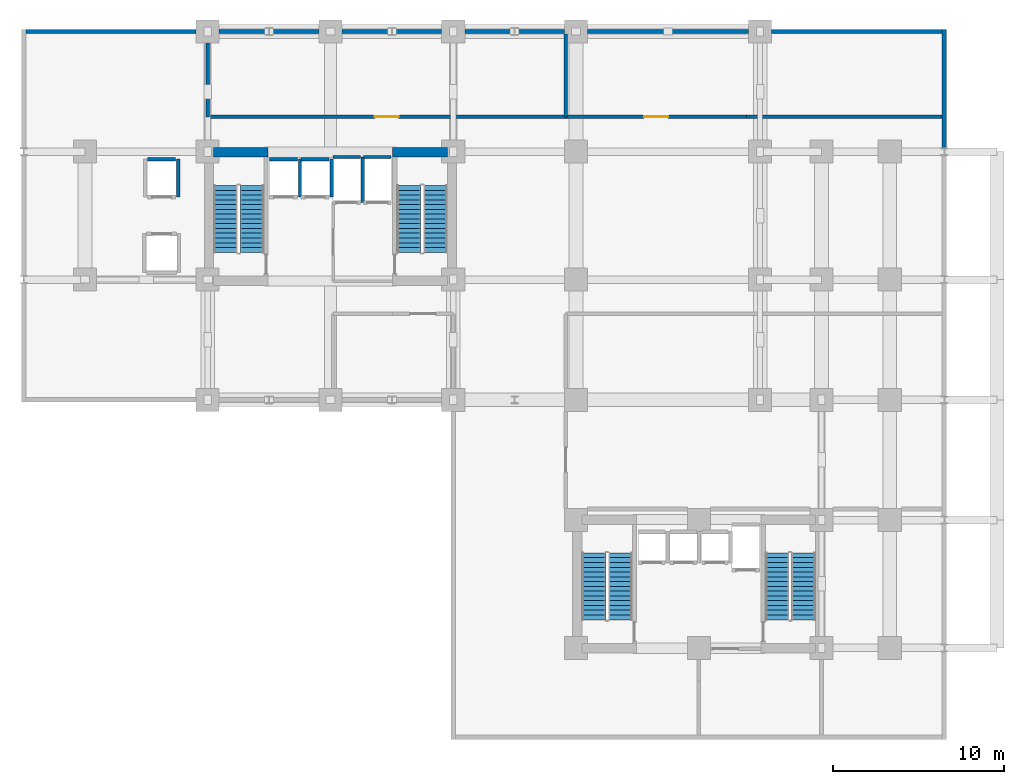
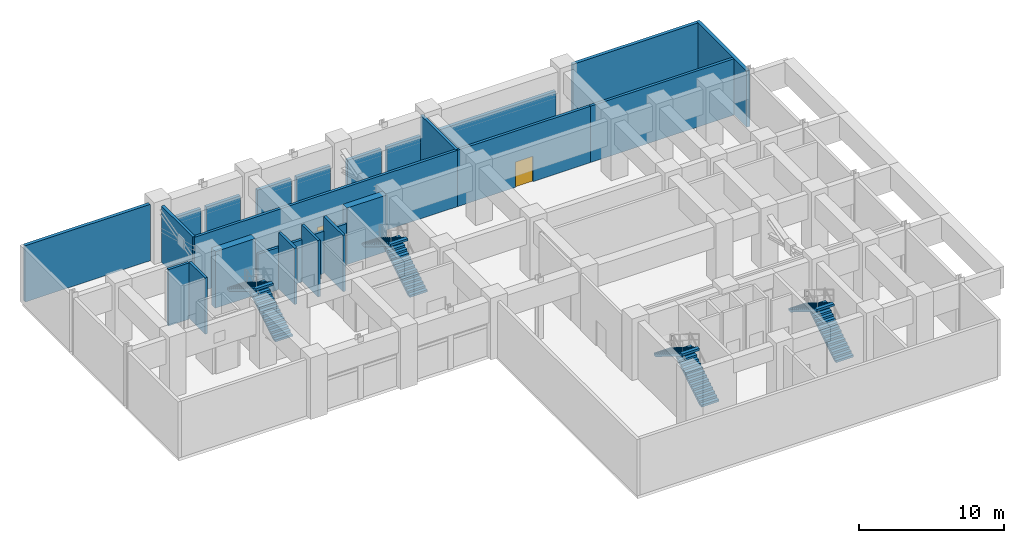
# One storey, part 5 of 8: 26 walls, 8 stair flights, 2 doors, 2 openings, 4 elements without a shape of their own.
"""IFC4 building model written with IfcOpenShell, lengths in metres."""

from ifc_helpers import new_model, si_unit, direction, frame, frame_2d, origin, place, context, subcontext, project, spatial, polyline, rectangle, outline, extrude, material, layer, layer_set, type_object, element, fill, aggregate, save


model = new_model("IFC4")

# Units and contexts
model_context = context("Model", 3, precision=1e-05, world=origin(), true_north=direction((0.0, 1.0)))
body_context = subcontext(model_context, "Body", "Model", "MODEL_VIEW")
ifc_project = project(units=[si_unit("LENGTHUNIT", "METRE"), si_unit("AREAUNIT", "SQUARE_METRE"), si_unit("VOLUMEUNIT", "CUBIC_METRE"), si_unit("PLANEANGLEUNIT", "RADIAN"), si_unit("MASSUNIT", "GRAM", prefix="KILO")], contexts=[model_context])

# Site, building, storey
site_placement = place(None, origin())
site = spatial("IfcSite", under=ifc_project, at=site_placement, CompositionType="ELEMENT")
building_placement = place(site_placement, origin())
building = spatial("IfcBuilding", under=site, at=building_placement, Name="Kaliganga Portal Commons", CompositionType="ELEMENT")
storey_placement = place(building_placement, frame((0.0, 0.0, 73.39990234375)))
storey = spatial("IfcBuildingStorey", under=building, at=storey_placement, Name="L18", CompositionType="ELEMENT", Elevation=73.39990234375)

# Walls
ifc_material_1 = material(Name="Concrete C60/75", Category="concrete")
ifc_layer_1 = layer(ifc_material_1, 0.550048828125)
ifc_layer_set_1 = layer_set([ifc_layer_1], Name="Concrete C60/75")
wall_type_1 = type_object("IfcWallType", Name="WL-CORE-550", PredefinedType="SHEAR", material=ifc_layer_set_1)
for number, where, z_axis, x_axis, name in (
    (1, (14.75, 36.125, 0.0), (0.0, 0.0, 1.0), (1.0, 0.0, 0.0), "Core A N-West Shear Wall L18"),
    (2, (25.25, 36.125, 0.0), (0.0, 0.0, 1.0), (1.0, 0.0, 0.0), "Core A N-East Shear Wall L18"),
):
    element("IfcWall", number, at=place(storey_placement, frame(where, z_axis=z_axis, x_axis=x_axis)), inside=storey, type_object=wall_type_1, Name=name, PredefinedType="SHEAR", context=body_context, shape_type="SweptSolid", body=[
        extrude(rectangle(XDim=3.199951171875, YDim=0.550048828125, at=frame_2d((1.60009765625, 0.0))), origin(), (0.0, 0.0, 1.0), 4.780029296875),
    ])
ifc_material_2 = material(Name="Insulated Aluminium-Clad Spandrel Assembly", Category="aluminium")
ifc_layer_2 = layer(ifc_material_2, 0.260009765625)
ifc_layer_set_2 = layer_set([ifc_layer_2], Name="Insulated Aluminium-Clad Spandrel Assembly")
wall_type_2 = type_object("IfcWallType", Name="WL-EXT-SPAND-260", PredefinedType="STANDARD", material=ifc_layer_set_2)
wall_1_placement = place(storey_placement, frame((57.60009765625, 43.330078125, 0.0), z_axis=(0.0, 0.0, 1.0), x_axis=(0.0, -1.0, 0.0)))
element("IfcWall", 3, at=wall_1_placement, inside=storey, type_object=wall_type_2, Name="Exterior Envelope Wall L18 P1-E01-S6", PredefinedType="STANDARD", context=body_context, shape_type="SweptSolid", body=[
    extrude(rectangle(XDim=6.9560546875, YDim=0.260009765625, at=frame_2d((3.47802734375, 0.0))), origin(), (0.0, 0.0, 1.0), 4.760009765625),
])
wall_2_placement = place(storey_placement, frame((47.47607421875, 43.199951171875, 0.0), z_axis=(0.0, 0.0, 1.0), x_axis=(1.0, 0.0, 0.0)))
element("IfcWall", 4, at=wall_2_placement, inside=storey, type_object=wall_type_2, Name="Exterior Envelope Wall L18 P1-E02-S1", PredefinedType="STANDARD", context=body_context, shape_type="SweptSolid", body=[
    extrude(rectangle(XDim=9.989013671875, YDim=0.260009765625, at=frame_2d((4.99462890625, 0.0))), origin(), (0.0, 0.0, 1.0), 4.760009765625),
])
wall_3_placement = place(storey_placement, frame((36.676025390625, 43.199951171875, 0.0), z_axis=(0.0, 0.0, 1.0), x_axis=(1.0, 0.0, 0.0)))
element("IfcWall", 5, at=wall_3_placement, inside=storey, type_object=wall_type_2, Name="Exterior Envelope Wall L18 P1-E02-S2", PredefinedType="STANDARD", context=body_context, shape_type="SweptSolid", body=[
    extrude(rectangle(XDim=9.447998046875, YDim=0.260009765625, at=frame_2d((4.72412109375, 0.0))), origin(), (0.0, 0.0, 1.0), 2.960205078125),
])
wall_4_placement = place(storey_placement, frame((32.60888671875, 43.199951171875, 0.0), z_axis=(0.0, 0.0, 1.0), x_axis=(1.0, 0.0, 0.0)))
element("IfcWall", 6, at=wall_4_placement, inside=storey, type_object=wall_type_2, Name="Exterior Envelope Wall L18 P1-E02-S3", PredefinedType="STANDARD", context=body_context, shape_type="SweptSolid", body=[
    extrude(rectangle(XDim=2.715087890625, YDim=0.260009765625, at=frame_2d((1.357421875, 0.0))), origin(), (0.0, 0.0, 1.0), 2.960205078125),
])
wall_5_placement = place(storey_placement, frame((29.47607421875, 43.199951171875, 0.0), z_axis=(0.0, 0.0, 1.0), x_axis=(1.0, 0.0, 0.0)))
element("IfcWall", 7, at=wall_5_placement, inside=storey, type_object=wall_type_2, Name="Exterior Envelope Wall L18 P1-E02-S4", PredefinedType="STANDARD", context=body_context, shape_type="SweptSolid", body=[
    extrude(rectangle(XDim=2.71484375, YDim=0.260009765625, at=frame_2d((1.357421875, 0.0))), origin(), (0.0, 0.0, 1.0), 2.960205078125),
])
for number, where, z_axis, x_axis, name in (
    (8, (25.408935546875, 43.199951171875, 0.0), (0.0, 0.0, 1.0), (1.0, 0.0, 0.0), "Exterior Envelope Wall L18 P1-E02-S5"),
    (9, (22.27587890625, 43.199951171875, 0.0), (0.0, 0.0, 1.0), (1.0, 0.0, 0.0), "Exterior Envelope Wall L18 P1-E02-S6"),
    (10, (18.208984375, 43.199951171875, 0.0), (0.0, 0.0, 1.0), (1.0, 0.0, 0.0), "Exterior Envelope Wall L18 P1-E02-S7"),
    (11, (15.075927734375, 43.199951171875, 0.0), (0.0, 0.0, 1.0), (1.0, 0.0, 0.0), "Exterior Envelope Wall L18 P1-E02-S8"),
):
    element("IfcWall", number, at=place(storey_placement, frame(where, z_axis=z_axis, x_axis=x_axis)), inside=storey, type_object=wall_type_2, Name=name, PredefinedType="STANDARD", context=body_context, shape_type="SweptSolid", body=[
        extrude(rectangle(XDim=2.715087890625, YDim=0.260009765625, at=frame_2d((1.357421875, 0.0))), origin(), (0.0, 0.0, 1.0), 2.960205078125),
    ])
wall_6_placement = place(storey_placement, frame((3.735107421875, 43.199951171875, 0.0), z_axis=(0.0, 0.0, 1.0), x_axis=(1.0, 0.0, 0.0)))
element("IfcWall", 12, at=wall_6_placement, inside=storey, type_object=wall_type_2, Name="Exterior Envelope Wall L18 P1-E02-S9", PredefinedType="STANDARD", context=body_context, shape_type="SweptSolid", body=[
    extrude(rectangle(XDim=9.989013671875, YDim=0.260009765625, at=frame_2d((4.99462890625, 0.0))), origin(), (0.0, 0.0, 1.0), 4.760009765625),
])

# Wall, opening, door
ifc_material_3 = material(Name="Lightweight blockwork masonry", Category="masonry")
ifc_layer_3 = layer(ifc_material_3, 0.215087890625)
ifc_layer_set_3 = layer_set([ifc_layer_3], Name="Lightweight blockwork masonry")
wall_type_3 = type_object("IfcWallType", Name="WL-PART-PLANT-215", PredefinedType="PARTITIONING", material=ifc_layer_set_3)
wall_7_placement = place(storey_placement, frame((14.39990234375, 38.199951171875, 0.0), z_axis=(0.0, 0.0, 1.0), x_axis=(1.0, 0.0, 0.0)))
wall_7 = element("IfcWall", 13, at=wall_7_placement, inside=storey, type_object=wall_type_3, Name="Interior Partition L18-002", PredefinedType="PARTITIONING", context=body_context, shape_type="SweptSolid", body=[
    extrude(rectangle(XDim=21.0, YDim=0.215087890625, at=frame_2d((10.5, 0.0))), origin(), (0.0, 0.0, 1.0), 4.760009765625),
])
opening_1_placement = place(wall_7_placement, frame((9.800048828125, 0.0, 0.0)))
opening_1 = element("IfcOpeningElement", 14, at=opening_1_placement, cuts=wall_7, Name="Opening PD-01", PredefinedType="OPENING", context=body_context, shape_type="SweptSolid", body=[
    extrude(rectangle(XDim=1.39990234375, YDim=2.14990234375, at=frame_2d((0.699951171875, 1.074951171875))), frame((0.0, 0.11767578125, 0.0), z_axis=(0.0, -1.0, 0.0), x_axis=(1.0, 0.0, 0.0)), (0.0, 0.0, 1.0), 0.235107421875),
])
ifc_material_4 = material(Name="Heavy-Duty Steel Acoustic Louvre Fire Door", Category="steel")
door_type = type_object("IfcDoorType", Name="DR-PLANT-1400", OperationType="DOUBLE_DOOR_SINGLE_SWING", PredefinedType="DOOR", material=ifc_material_4)
door_1_placement = place(opening_1_placement, origin())
door_1 = element("IfcDoor", 15, at=door_1_placement, inside=storey, type_object=door_type, Name="Interior Door L18-AHU_N", OperationType="DOUBLE_DOOR_SINGLE_SWING", OverallHeight=2.14990234375, OverallWidth=1.39990234375, PredefinedType="DOOR", context=body_context, shape_type="SweptSolid", body=[
    extrude(rectangle(XDim=1.39990234375, YDim=2.14990234375, at=frame_2d((0.699951171875, 1.074951171875))), frame((0.0, 0.02490234375, 0.0), z_axis=(0.0, -1.0, 0.0), x_axis=(1.0, 0.0, 0.0)), (0.0, 0.0, 1.0), 0.050048828125),
])
fill(opening_1, door_1)

wall_8_placement = place(storey_placement, frame((35.39990234375, 38.199951171875, 0.0), z_axis=(0.0, 0.0, 1.0), x_axis=(1.0, 0.0, 0.0)))
wall_8 = element("IfcWall", 16, at=wall_8_placement, inside=storey, type_object=wall_type_3, Name="Interior Partition L18-005", PredefinedType="PARTITIONING", context=body_context, shape_type="SweptSolid", body=[
    extrude(rectangle(XDim=10.60009765625, YDim=0.215087890625, at=frame_2d((5.300048828125, 0.0))), origin(), (0.0, 0.0, 1.0), 4.760009765625),
])
opening_2_placement = place(wall_8_placement, frame((4.60009765625, 0.0, 0.0)))
opening_2 = element("IfcOpeningElement", 17, at=opening_2_placement, cuts=wall_8, Name="Opening PD-01", PredefinedType="OPENING", context=body_context, shape_type="SweptSolid", body=[
    extrude(rectangle(XDim=1.39990234375, YDim=2.14990234375, at=frame_2d((0.699951171875, 1.074951171875))), frame((0.0, 0.11767578125, 0.0), z_axis=(0.0, -1.0, 0.0), x_axis=(1.0, 0.0, 0.0)), (0.0, 0.0, 1.0), 0.235107421875),
])
door_2_placement = place(opening_2_placement, origin())
door_2 = element("IfcDoor", 18, at=door_2_placement, inside=storey, type_object=door_type, Name="Interior Door L18-ELEC", OperationType="DOUBLE_DOOR_SINGLE_SWING", OverallHeight=2.14990234375, OverallWidth=1.39990234375, PredefinedType="DOOR", context=body_context, shape_type="SweptSolid", body=[
    extrude(rectangle(XDim=1.39990234375, YDim=2.14990234375, at=frame_2d((0.699951171875, 1.074951171875))), frame((0.0, 0.02490234375, 0.0), z_axis=(0.0, -1.0, 0.0), x_axis=(1.0, 0.0, 0.0)), (0.0, 0.0, 1.0), 0.050048828125),
])
fill(opening_2, door_2)

# Walls
wall_9_placement = place(storey_placement, frame((46.0, 38.199951171875, 0.0), z_axis=(0.0, 0.0, 1.0), x_axis=(1.0, 0.0, 0.0)))
element("IfcWall", 19, at=wall_9_placement, inside=storey, type_object=wall_type_3, Name="Interior Partition L18-013", PredefinedType="PARTITIONING", context=body_context, shape_type="SweptSolid", body=[
    extrude(rectangle(XDim=11.468017578125, YDim=0.215087890625, at=frame_2d((5.73388671875, 0.0))), origin(), (0.0, 0.0, 1.0), 4.760009765625),
])
wall_10_placement = place(storey_placement, frame((14.39990234375, 38.199951171875, 0.0), z_axis=(0.0, 0.0, 1.0), x_axis=(0.0, 1.0, 0.0)))
element("IfcWall", 20, at=wall_10_placement, inside=storey, type_object=wall_type_3, Name="Interior Partition L18-017", PredefinedType="PARTITIONING", context=body_context, shape_type="SweptSolid", body=[
    extrude(rectangle(XDim=4.324951171875, YDim=0.215087890625, at=frame_2d((2.16259765625, 0.0))), origin(), (0.0, 0.0, 1.0), 4.760009765625),
])
wall_11_placement = place(storey_placement, frame((35.39990234375, 38.199951171875, 0.0), z_axis=(0.0, 0.0, 1.0), x_axis=(0.0, 1.0, 0.0)))
element("IfcWall", 21, at=wall_11_placement, inside=storey, type_object=wall_type_3, Name="Interior Partition L18-018", PredefinedType="PARTITIONING", context=body_context, shape_type="SweptSolid", body=[
    extrude(rectangle(XDim=4.8681640625, YDim=0.215087890625, at=frame_2d((2.43408203125, 0.0))), origin(), (0.0, 0.0, 1.0), 4.760009765625),
])
ifc_material_5 = material(Name="Fire-Rated Shaftwall Masonry Assembly", Category="masonry")
ifc_layer_4 = layer(ifc_material_5, 0.199951171875)
ifc_layer_set_4 = layer_set([ifc_layer_4], Name="Fire-Rated Shaftwall Masonry Assembly")
wall_type_4 = type_object("IfcWallType", Name="WL-SHAFT-200", PredefinedType="PARTITIONING", material=ifc_layer_set_4)
wall_12_placement = place(storey_placement, frame((18.02490234375, 35.715087890625, 0.0), z_axis=(0.0, 0.0, 1.0), x_axis=(1.0, 0.0, 0.0)))
element("IfcWall", 22, at=wall_12_placement, inside=storey, type_object=wall_type_4, Name="Lift PL-A1 Hoistway Shaft Wall L18-N", PredefinedType="PARTITIONING", context=body_context, shape_type="SweptSolid", body=[
    extrude(rectangle(XDim=1.650146484375, YDim=0.199951171875, at=frame_2d((0.8251953125, 0.0))), origin(), (0.0, 0.0, 1.0), 3.56005859375),
])
wall_13_placement = place(storey_placement, frame((19.81494140625, 33.485107421875, 0.0), z_axis=(0.0, 0.0, 1.0), x_axis=(0.0, 1.0, 0.0)))
element("IfcWall", 23, at=wall_13_placement, inside=storey, type_object=wall_type_4, Name="Lift PL-A1 Hoistway Shaft Wall L18-E", PredefinedType="PARTITIONING", context=body_context, shape_type="SweptSolid", body=[
    extrude(rectangle(XDim=2.22998046875, YDim=0.199951171875, at=frame_2d((1.114990234375, 0.0))), origin(), (0.0, 0.0, 1.0), 4.760009765625),
])
wall_14_placement = place(storey_placement, frame((19.875, 35.715087890625, 0.0), z_axis=(0.0, 0.0, 1.0), x_axis=(1.0, 0.0, 0.0)))
element("IfcWall", 24, at=wall_14_placement, inside=storey, type_object=wall_type_4, Name="Lift PL-A2 Hoistway Shaft Wall L18-N", PredefinedType="PARTITIONING", context=body_context, shape_type="SweptSolid", body=[
    extrude(rectangle(XDim=1.64990234375, YDim=0.199951171875, at=frame_2d((0.824951171875, 0.0))), origin(), (0.0, 0.0, 1.0), 3.56005859375),
])
wall_15_placement = place(storey_placement, frame((21.6650390625, 33.485107421875, 0.0), z_axis=(0.0, 0.0, 1.0), x_axis=(0.0, 1.0, 0.0)))
element("IfcWall", 25, at=wall_15_placement, inside=storey, type_object=wall_type_4, Name="Lift PL-A2 Hoistway Shaft Wall L18-E", PredefinedType="PARTITIONING", context=body_context, shape_type="SweptSolid", body=[
    extrude(rectangle(XDim=2.22998046875, YDim=0.199951171875, at=frame_2d((1.114990234375, 0.0))), origin(), (0.0, 0.0, 1.0), 4.760009765625),
])
wall_16_placement = place(storey_placement, frame((10.875, 35.715087890625, 0.0), z_axis=(0.0, 0.0, 1.0), x_axis=(1.0, 0.0, 0.0)))
element("IfcWall", 26, at=wall_16_placement, inside=storey, type_object=wall_type_4, Name="Lift PL-OBS Hoistway Shaft Wall L18-N", PredefinedType="PARTITIONING", context=body_context, shape_type="SweptSolid", body=[
    extrude(rectangle(XDim=1.64990234375, YDim=0.199951171875, at=frame_2d((0.824951171875, 0.0))), origin(), (0.0, 0.0, 1.0), 4.760009765625),
])
wall_17_placement = place(storey_placement, frame((12.6650390625, 33.485107421875, 0.0), z_axis=(0.0, 0.0, 1.0), x_axis=(0.0, 1.0, 0.0)))
element("IfcWall", 27, at=wall_17_placement, inside=storey, type_object=wall_type_4, Name="Lift PL-OBS Hoistway Shaft Wall L18-E", PredefinedType="PARTITIONING", context=body_context, shape_type="SweptSolid", body=[
    extrude(rectangle(XDim=2.22998046875, YDim=0.199951171875, at=frame_2d((1.114990234375, 0.0))), origin(), (0.0, 0.0, 1.0), 4.760009765625),
])
wall_18_placement = place(storey_placement, frame((21.75, 35.840087890625, 0.0), z_axis=(0.0, 0.0, 1.0), x_axis=(1.0, 0.0, 0.0)))
element("IfcWall", 28, at=wall_18_placement, inside=storey, type_object=wall_type_4, Name="Lift FFL-1 Hoistway Shaft Wall L18-N", PredefinedType="PARTITIONING", context=body_context, shape_type="SweptSolid", body=[
    extrude(rectangle(XDim=1.60009765625, YDim=0.199951171875, at=frame_2d((0.800048828125, 0.0))), origin(), (0.0, 0.0, 1.0), 3.56005859375),
])
wall_19_placement = place(storey_placement, frame((23.489990234375, 33.159912109375, 0.0), z_axis=(0.0, 0.0, 1.0), x_axis=(0.0, 1.0, 0.0)))
element("IfcWall", 29, at=wall_19_placement, inside=storey, type_object=wall_type_4, Name="Lift FFL-1 Hoistway Shaft Wall L18-E", PredefinedType="PARTITIONING", context=body_context, shape_type="SweptSolid", body=[
    extrude(rectangle(XDim=2.68017578125, YDim=0.199951171875, at=frame_2d((1.340087890625, 0.0))), origin(), (0.0, 0.0, 1.0), 4.760009765625),
])
wall_20_placement = place(storey_placement, frame((23.550048828125, 35.840087890625, 0.0), z_axis=(0.0, 0.0, 1.0), x_axis=(1.0, 0.0, 0.0)))
element("IfcWall", 30, at=wall_20_placement, inside=storey, type_object=wall_type_4, Name="Lift FFL-2 Hoistway Shaft Wall L18-N", PredefinedType="PARTITIONING", context=body_context, shape_type="SweptSolid", body=[
    extrude(rectangle(XDim=1.599853515625, YDim=0.199951171875, at=frame_2d((0.7998046875, 0.0))), origin(), (0.0, 0.0, 1.0), 3.56005859375),
])

# Stair, stair flights
ifc_material_6 = material(Name="Concrete C40/50", Category="concrete")
stair_type = type_object("IfcStairType", Name="ST-CORE-DOGLEG", PredefinedType="HALF_TURN_STAIR", material=ifc_material_6)
stair_1_placement = place(storey_placement, origin())
stair_1 = element("IfcStair", 31, at=stair_1_placement, inside=storey, type_object=stair_type, Name="L18 Protected Exit Stair ST-A1", PredefinedType="HALF_TURN_STAIR")
stair_flight_type = type_object("IfcStairFlightType", Name="STF-RC-1400", PredefinedType="STRAIGHT", material=ifc_material_6)
stair_flight_1_placement = place(storey_placement, frame((17.0, 30.25, 0.0), z_axis=(0.0, 0.0, 1.0), x_axis=(0.0, 1.0, 0.0)))
stair_flight_1 = element("IfcStairFlight", 32, at=stair_flight_1_placement, type_object=stair_flight_type, Name="ST-A1 flight 1", NumberOfRisers=15, NumberOfTreads=14, PredefinedType="STRAIGHT", RiserHeight=0.173333333, TreadLength=0.28, context=body_context, shape_type="SweptSolid", body=[
    extrude(outline(polyline([(0.0, 0.0), (0.0, 0.17333984375), (0.280029296875, 0.17333984375), (0.280029296875, 0.3466796875), (0.56005859375, 0.3466796875), (0.56005859375, 0.52001953125), (0.840087890625, 0.52001953125), (0.840087890625, 0.693359375), (1.1201171875, 0.693359375), (1.1201171875, 0.86669921875), (1.39990234375, 0.86669921875), (1.39990234375, 1.0400390625), (1.679931640625, 1.0400390625), (1.679931640625, 1.21337890625), (1.9599609375, 1.21337890625), (1.9599609375, 1.38671875), (2.239990234375, 1.38671875), (2.239990234375, 1.56005859375), (2.52001953125, 1.56005859375), (2.52001953125, 1.7333984375), (2.800048828125, 1.7333984375), (2.800048828125, 1.90673828125), (3.080078125, 1.90673828125), (3.080078125, 2.080078125), (3.360107421875, 2.080078125), (3.360107421875, 2.25341796875), (3.639892578125, 2.25341796875), (3.639892578125, 2.4267578125), (3.919921875, 2.4267578125), (3.919921875, 2.60009765625), (3.919921875, 2.250244140625), (0.284912109375, 0.0), (0.0, 0.0)])), frame((0.0, 0.699951171875, 0.0), z_axis=(0.0, -1.0, 0.0), x_axis=(1.0, 0.0, 0.0)), (0.0, 0.0, 1.0), 1.39990234375),
])
stair_flight_2_placement = place(storey_placement, frame((15.449951171875, 34.169921875, 2.60009765625), z_axis=(0.0, 0.0, 1.0), x_axis=(0.0, -1.0, 0.0)))
stair_flight_2 = element("IfcStairFlight", 33, at=stair_flight_2_placement, type_object=stair_flight_type, Name="ST-A1 flight 2", NumberOfRisers=15, NumberOfTreads=14, PredefinedType="STRAIGHT", RiserHeight=0.173333333, TreadLength=0.28, context=body_context, shape_type="SweptSolid", body=[
    extrude(outline(polyline([(0.0, 0.0), (0.0, 0.17333984375), (0.280029296875, 0.17333984375), (0.280029296875, 0.3466796875), (0.56005859375, 0.3466796875), (0.56005859375, 0.52001953125), (0.840087890625, 0.52001953125), (0.840087890625, 0.693359375), (1.1201171875, 0.693359375), (1.1201171875, 0.86669921875), (1.39990234375, 0.86669921875), (1.39990234375, 1.0400390625), (1.679931640625, 1.0400390625), (1.679931640625, 1.21337890625), (1.9599609375, 1.21337890625), (1.9599609375, 1.38671875), (2.239990234375, 1.38671875), (2.239990234375, 1.56005859375), (2.52001953125, 1.56005859375), (2.52001953125, 1.7333984375), (2.800048828125, 1.7333984375), (2.800048828125, 1.90673828125), (3.080078125, 1.90673828125), (3.080078125, 2.080078125), (3.360107421875, 2.080078125), (3.360107421875, 2.25341796875), (3.639892578125, 2.25341796875), (3.639892578125, 2.4267578125), (3.919921875, 2.4267578125), (3.919921875, 2.60009765625), (3.919921875, 2.250244140625), (0.284912109375, 0.0), (0.0, 0.0)])), frame((0.0, 0.699951171875, 0.0), z_axis=(0.0, -1.0, 0.0), x_axis=(1.0, 0.0, 0.0)), (0.0, 0.0, 1.0), 1.39990234375),
])
aggregate(stair_1, [stair_flight_1, stair_flight_2])

stair_2_placement = place(storey_placement, origin())
stair_2 = element("IfcStair", 34, at=stair_2_placement, inside=storey, type_object=stair_type, Name="L18 Protected Exit Stair ST-A2", PredefinedType="HALF_TURN_STAIR")
stair_flight_3_placement = place(storey_placement, frame((27.75, 30.25, 0.0), z_axis=(0.0, 0.0, 1.0), x_axis=(0.0, 1.0, 0.0)))
stair_flight_3 = element("IfcStairFlight", 35, at=stair_flight_3_placement, type_object=stair_flight_type, Name="ST-A2 flight 1", NumberOfRisers=15, NumberOfTreads=14, PredefinedType="STRAIGHT", RiserHeight=0.173333333, TreadLength=0.28, context=body_context, shape_type="SweptSolid", body=[
    extrude(outline(polyline([(0.0, 0.0), (0.0, 0.17333984375), (0.280029296875, 0.17333984375), (0.280029296875, 0.3466796875), (0.56005859375, 0.3466796875), (0.56005859375, 0.52001953125), (0.840087890625, 0.52001953125), (0.840087890625, 0.693359375), (1.1201171875, 0.693359375), (1.1201171875, 0.86669921875), (1.39990234375, 0.86669921875), (1.39990234375, 1.0400390625), (1.679931640625, 1.0400390625), (1.679931640625, 1.21337890625), (1.9599609375, 1.21337890625), (1.9599609375, 1.38671875), (2.239990234375, 1.38671875), (2.239990234375, 1.56005859375), (2.52001953125, 1.56005859375), (2.52001953125, 1.7333984375), (2.800048828125, 1.7333984375), (2.800048828125, 1.90673828125), (3.080078125, 1.90673828125), (3.080078125, 2.080078125), (3.360107421875, 2.080078125), (3.360107421875, 2.25341796875), (3.639892578125, 2.25341796875), (3.639892578125, 2.4267578125), (3.919921875, 2.4267578125), (3.919921875, 2.60009765625), (3.919921875, 2.250244140625), (0.284912109375, 0.0), (0.0, 0.0)])), frame((0.0, 0.699951171875, 0.0), z_axis=(0.0, -1.0, 0.0), x_axis=(1.0, 0.0, 0.0)), (0.0, 0.0, 1.0), 1.39990234375),
])
stair_flight_4_placement = place(storey_placement, frame((26.199951171875, 34.169921875, 2.60009765625), z_axis=(0.0, 0.0, 1.0), x_axis=(0.0, -1.0, 0.0)))
stair_flight_4 = element("IfcStairFlight", 36, at=stair_flight_4_placement, type_object=stair_flight_type, Name="ST-A2 flight 2", NumberOfRisers=15, NumberOfTreads=14, PredefinedType="STRAIGHT", RiserHeight=0.173333333, TreadLength=0.28, context=body_context, shape_type="SweptSolid", body=[
    extrude(outline(polyline([(0.0, 0.0), (0.0, 0.17333984375), (0.280029296875, 0.17333984375), (0.280029296875, 0.3466796875), (0.56005859375, 0.3466796875), (0.56005859375, 0.52001953125), (0.840087890625, 0.52001953125), (0.840087890625, 0.693359375), (1.1201171875, 0.693359375), (1.1201171875, 0.86669921875), (1.39990234375, 0.86669921875), (1.39990234375, 1.0400390625), (1.679931640625, 1.0400390625), (1.679931640625, 1.21337890625), (1.9599609375, 1.21337890625), (1.9599609375, 1.38671875), (2.239990234375, 1.38671875), (2.239990234375, 1.56005859375), (2.52001953125, 1.56005859375), (2.52001953125, 1.7333984375), (2.800048828125, 1.7333984375), (2.800048828125, 1.90673828125), (3.080078125, 1.90673828125), (3.080078125, 2.080078125), (3.360107421875, 2.080078125), (3.360107421875, 2.25341796875), (3.639892578125, 2.25341796875), (3.639892578125, 2.4267578125), (3.919921875, 2.4267578125), (3.919921875, 2.60009765625), (3.919921875, 2.250244140625), (0.284912109375, 0.0), (0.0, 0.0)])), frame((0.0, 0.699951171875, 0.0), z_axis=(0.0, -1.0, 0.0), x_axis=(1.0, 0.0, 0.0)), (0.0, 0.0, 1.0), 1.39990234375),
])
aggregate(stair_2, [stair_flight_3, stair_flight_4])

stair_3_placement = place(storey_placement, origin())
stair_3 = element("IfcStair", 37, at=stair_3_placement, inside=storey, type_object=stair_type, Name="L18 Protected Exit Stair ST-B1", PredefinedType="HALF_TURN_STAIR")
stair_flight_5_placement = place(storey_placement, frame((38.60009765625, 8.699951171875, 0.0), z_axis=(0.0, 0.0, 1.0), x_axis=(0.0, 1.0, 0.0)))
stair_flight_5 = element("IfcStairFlight", 38, at=stair_flight_5_placement, type_object=stair_flight_type, Name="ST-B1 flight 1", NumberOfRisers=15, NumberOfTreads=14, PredefinedType="STRAIGHT", RiserHeight=0.173333333, TreadLength=0.28, context=body_context, shape_type="SweptSolid", body=[
    extrude(outline(polyline([(0.0, 0.0), (0.0, 0.17333984375), (0.280029296875, 0.17333984375), (0.280029296875, 0.3466796875), (0.56005859375, 0.3466796875), (0.56005859375, 0.52001953125), (0.840087890625, 0.52001953125), (0.840087890625, 0.693359375), (1.1201171875, 0.693359375), (1.1201171875, 0.86669921875), (1.39990234375, 0.86669921875), (1.39990234375, 1.0400390625), (1.679931640625, 1.0400390625), (1.679931640625, 1.21337890625), (1.9599609375, 1.21337890625), (1.9599609375, 1.38671875), (2.239990234375, 1.38671875), (2.239990234375, 1.56005859375), (2.52001953125, 1.56005859375), (2.52001953125, 1.7333984375), (2.800048828125, 1.7333984375), (2.800048828125, 1.90673828125), (3.080078125, 1.90673828125), (3.080078125, 2.080078125), (3.360107421875, 2.080078125), (3.360107421875, 2.25341796875), (3.639892578125, 2.25341796875), (3.639892578125, 2.4267578125), (3.919921875, 2.4267578125), (3.919921875, 2.60009765625), (3.919921875, 2.250244140625), (0.284912109375, 0.0), (0.0, 0.0)])), frame((0.0, 0.699951171875, 0.0), z_axis=(0.0, -1.0, 0.0), x_axis=(1.0, 0.0, 0.0)), (0.0, 0.0, 1.0), 1.39990234375),
])
stair_flight_6_placement = place(storey_placement, frame((37.050048828125, 12.6201171875, 2.60009765625), z_axis=(0.0, 0.0, 1.0), x_axis=(0.0, -1.0, 0.0)))
stair_flight_6 = element("IfcStairFlight", 39, at=stair_flight_6_placement, type_object=stair_flight_type, Name="ST-B1 flight 2", NumberOfRisers=15, NumberOfTreads=14, PredefinedType="STRAIGHT", RiserHeight=0.173333333, TreadLength=0.28, context=body_context, shape_type="SweptSolid", body=[
    extrude(outline(polyline([(0.0, 0.0), (0.0, 0.17333984375), (0.280029296875, 0.17333984375), (0.280029296875, 0.3466796875), (0.56005859375, 0.3466796875), (0.56005859375, 0.52001953125), (0.840087890625, 0.52001953125), (0.840087890625, 0.693359375), (1.1201171875, 0.693359375), (1.1201171875, 0.86669921875), (1.39990234375, 0.86669921875), (1.39990234375, 1.0400390625), (1.679931640625, 1.0400390625), (1.679931640625, 1.21337890625), (1.9599609375, 1.21337890625), (1.9599609375, 1.38671875), (2.239990234375, 1.38671875), (2.239990234375, 1.56005859375), (2.52001953125, 1.56005859375), (2.52001953125, 1.7333984375), (2.800048828125, 1.7333984375), (2.800048828125, 1.90673828125), (3.080078125, 1.90673828125), (3.080078125, 2.080078125), (3.360107421875, 2.080078125), (3.360107421875, 2.25341796875), (3.639892578125, 2.25341796875), (3.639892578125, 2.4267578125), (3.919921875, 2.4267578125), (3.919921875, 2.60009765625), (3.919921875, 2.250244140625), (0.284912109375, 0.0), (0.0, 0.0)])), frame((0.0, 0.699951171875, 0.0), z_axis=(0.0, -1.0, 0.0), x_axis=(1.0, 0.0, 0.0)), (0.0, 0.0, 1.0), 1.39990234375),
])
aggregate(stair_3, [stair_flight_5, stair_flight_6])

stair_4_placement = place(storey_placement, origin())
stair_4 = element("IfcStair", 40, at=stair_4_placement, inside=storey, type_object=stair_type, Name="L18 Protected Exit Stair ST-B2", PredefinedType="HALF_TURN_STAIR")
stair_flight_7_placement = place(storey_placement, frame((49.35009765625, 8.699951171875, 0.0), z_axis=(0.0, 0.0, 1.0), x_axis=(0.0, 1.0, 0.0)))
stair_flight_7 = element("IfcStairFlight", 41, at=stair_flight_7_placement, type_object=stair_flight_type, Name="ST-B2 flight 1", NumberOfRisers=15, NumberOfTreads=14, PredefinedType="STRAIGHT", RiserHeight=0.173333333, TreadLength=0.28, context=body_context, shape_type="SweptSolid", body=[
    extrude(outline(polyline([(0.0, 0.0), (0.0, 0.17333984375), (0.280029296875, 0.17333984375), (0.280029296875, 0.3466796875), (0.56005859375, 0.3466796875), (0.56005859375, 0.52001953125), (0.840087890625, 0.52001953125), (0.840087890625, 0.693359375), (1.1201171875, 0.693359375), (1.1201171875, 0.86669921875), (1.39990234375, 0.86669921875), (1.39990234375, 1.0400390625), (1.679931640625, 1.0400390625), (1.679931640625, 1.21337890625), (1.9599609375, 1.21337890625), (1.9599609375, 1.38671875), (2.239990234375, 1.38671875), (2.239990234375, 1.56005859375), (2.52001953125, 1.56005859375), (2.52001953125, 1.7333984375), (2.800048828125, 1.7333984375), (2.800048828125, 1.90673828125), (3.080078125, 1.90673828125), (3.080078125, 2.080078125), (3.360107421875, 2.080078125), (3.360107421875, 2.25341796875), (3.639892578125, 2.25341796875), (3.639892578125, 2.4267578125), (3.919921875, 2.4267578125), (3.919921875, 2.60009765625), (3.919921875, 2.250244140625), (0.284912109375, 0.0), (0.0, 0.0)])), frame((0.0, 0.699951171875, 0.0), z_axis=(0.0, -1.0, 0.0), x_axis=(1.0, 0.0, 0.0)), (0.0, 0.0, 1.0), 1.39990234375),
])
stair_flight_8_placement = place(storey_placement, frame((47.800048828125, 12.6201171875, 2.60009765625), z_axis=(0.0, 0.0, 1.0), x_axis=(0.0, -1.0, 0.0)))
stair_flight_8 = element("IfcStairFlight", 42, at=stair_flight_8_placement, type_object=stair_flight_type, Name="ST-B2 flight 2", NumberOfRisers=15, NumberOfTreads=14, PredefinedType="STRAIGHT", RiserHeight=0.173333333, TreadLength=0.28, context=body_context, shape_type="SweptSolid", body=[
    extrude(outline(polyline([(0.0, 0.0), (0.0, 0.17333984375), (0.280029296875, 0.17333984375), (0.280029296875, 0.3466796875), (0.56005859375, 0.3466796875), (0.56005859375, 0.52001953125), (0.840087890625, 0.52001953125), (0.840087890625, 0.693359375), (1.1201171875, 0.693359375), (1.1201171875, 0.86669921875), (1.39990234375, 0.86669921875), (1.39990234375, 1.0400390625), (1.679931640625, 1.0400390625), (1.679931640625, 1.21337890625), (1.9599609375, 1.21337890625), (1.9599609375, 1.38671875), (2.239990234375, 1.38671875), (2.239990234375, 1.56005859375), (2.52001953125, 1.56005859375), (2.52001953125, 1.7333984375), (2.800048828125, 1.7333984375), (2.800048828125, 1.90673828125), (3.080078125, 1.90673828125), (3.080078125, 2.080078125), (3.360107421875, 2.080078125), (3.360107421875, 2.25341796875), (3.639892578125, 2.25341796875), (3.639892578125, 2.4267578125), (3.919921875, 2.4267578125), (3.919921875, 2.60009765625), (3.919921875, 2.250244140625), (0.284912109375, 0.0), (0.0, 0.0)])), frame((0.0, 0.699951171875, 0.0), z_axis=(0.0, -1.0, 0.0), x_axis=(1.0, 0.0, 0.0)), (0.0, 0.0, 1.0), 1.39990234375),
])
aggregate(stair_4, [stair_flight_7, stair_flight_8])

save(model, "model.ifc")
